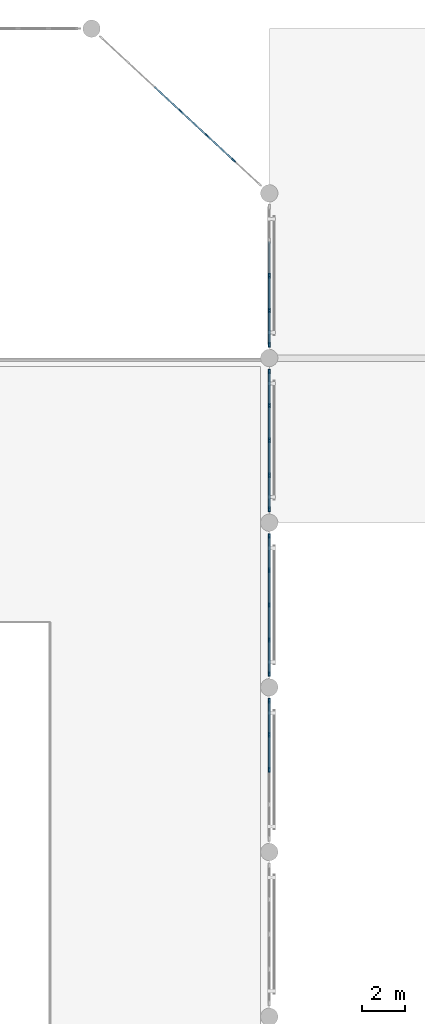
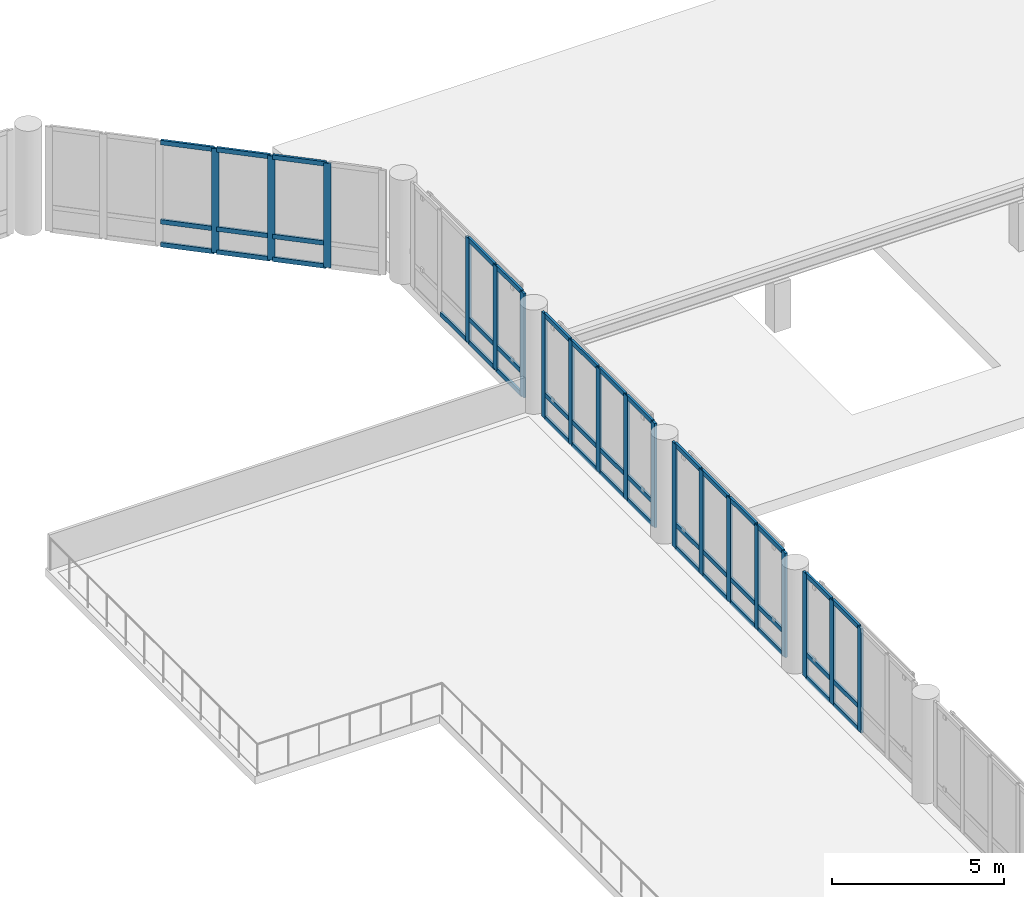
# One storey, part 17 of 49: 65 members, 5 elements without a shape of their own.
"""IFC4 building model written with IfcOpenShell, lengths in metres."""

from ifc_helpers import new_model, si_unit, direction, frame, origin, origin_2d, place, context, subcontext, project, spatial, rectangle, extrude, material, material_profile, profile_set, type_object, element, aggregate, save


model = new_model("IFC4")

# Units and contexts
model_context = context("Model", 3, precision=1e-05, world=origin(), true_north=direction((0.0, 1.0)))
body_context = subcontext(model_context, "Body", "Model", "MODEL_VIEW")
ifc_project = project(units=[si_unit("LENGTHUNIT", "METRE"), si_unit("AREAUNIT", "SQUARE_METRE"), si_unit("VOLUMEUNIT", "CUBIC_METRE"), si_unit("PLANEANGLEUNIT", "RADIAN"), si_unit("MASSUNIT", "GRAM", prefix="KILO")], contexts=[model_context])

# Site, building, storey
site_placement = place(None, origin())
site = spatial("IfcSite", under=ifc_project, at=site_placement, CompositionType="ELEMENT")
building_placement = place(site_placement, origin())
building = spatial("IfcBuilding", under=site, at=building_placement, Name="Qandaris Square Conservatory and Botanical Centre", CompositionType="ELEMENT")
storey_placement = place(building_placement, frame((0.0, 0.0, 10.199951171875)))
storey = spatial("IfcBuildingStorey", under=building, at=storey_placement, Name="L02", CompositionType="ELEMENT", Elevation=10.199951171875)

# Curtain wall, members
ifc_material = material(Name="Anodised Aluminium", Category="aluminium")
curtain_wall_type_1 = type_object("IfcCurtainWallType", Name="Unitised Curtain Wall CW-2-644x370", PredefinedType="USERDEFINED", material=ifc_material)
curtain_wall_1_placement = place(storey_placement, origin())
curtain_wall_1 = element("IfcCurtainWall", 1, at=curtain_wall_1_placement, inside=storey, type_object=curtain_wall_type_1, Name="Curtain Wall CW-CON-L02-3-4", ObjectType="GLAZED CURTAIN WALL", PredefinedType="USERDEFINED")
ifc_material_profile_1 = material_profile(ifc_material, rectangle(XDim=0.074951171875, YDim=0.219970703125, at=origin_2d()), Name="ALU-MUL 75x220")
ifc_profile_set_1 = profile_set([ifc_material_profile_1], Name="Anodised Aluminium")
member_type_1 = type_object("IfcMemberType", Name="Conservatory Heavy Mullion 75x220", PredefinedType="MULLION", material=ifc_profile_set_1)
member_1_placement = place(storey_placement, frame((57.199951171875, 81.199951171875, 0.0), z_axis=(0.0, 0.0, 1.0), x_axis=(-1.0, 0.0, 0.0)))
member_1 = element("IfcMember", 2, at=member_1_placement, type_object=member_type_1, Name="CW-2-644x370 mullion 3", PredefinedType="MULLION", context=body_context, shape_type="SweptSolid", body=[
    extrude(rectangle(XDim=0.074951171875, YDim=0.219970703125, at=origin_2d()), origin(), (0.0, 0.0, 1.0), 3.699951171875),
])
member_2_placement = place(storey_placement, frame((57.199951171875, 82.81005859375, 0.0), z_axis=(0.0, 0.0, 1.0), x_axis=(-1.0, 0.0, 0.0)))
member_2 = element("IfcMember", 3, at=member_2_placement, type_object=member_type_1, Name="CW-2-644x370 mullion 4", PredefinedType="MULLION", context=body_context, shape_type="SweptSolid", body=[
    extrude(rectangle(XDim=0.074951171875, YDim=0.219970703125, at=origin_2d()), origin(), (0.0, 0.0, 1.0), 3.699951171875),
])
member_3_placement = place(storey_placement, frame((57.199951171875, 84.382568359375, 0.0), z_axis=(0.0, 0.0, 1.0), x_axis=(-1.0, 0.0, 0.0)))
member_3 = element("IfcMember", 4, at=member_3_placement, type_object=member_type_1, Name="CW-2-644x370 mullion 5", PredefinedType="MULLION", context=body_context, shape_type="SweptSolid", body=[
    extrude(rectangle(XDim=0.074951171875, YDim=0.219970703125, at=origin_2d()), origin(), (0.0, 0.0, 1.0), 3.699951171875),
])

curtain_wall_2_placement = place(storey_placement, origin())
curtain_wall_2 = element("IfcCurtainWall", 5, at=curtain_wall_2_placement, inside=storey, type_object=curtain_wall_type_1, Name="Curtain Wall CW-CON-L02-3-5", ObjectType="GLAZED CURTAIN WALL", PredefinedType="USERDEFINED")
member_4_placement = place(storey_placement, frame((57.199951171875, 85.617431640625, 0.0), z_axis=(0.0, 0.0, 1.0), x_axis=(-1.0, 0.0, 0.0)))
member_4 = element("IfcMember", 6, at=member_4_placement, type_object=member_type_1, Name="CW-2-644x370 mullion 1", PredefinedType="MULLION", context=body_context, shape_type="SweptSolid", body=[
    extrude(rectangle(XDim=0.074951171875, YDim=0.219970703125, at=origin_2d()), origin(), (0.0, 0.0, 1.0), 3.699951171875),
])
member_5_placement = place(storey_placement, frame((57.199951171875, 87.18994140625, 0.0), z_axis=(0.0, 0.0, 1.0), x_axis=(-1.0, 0.0, 0.0)))
member_5 = element("IfcMember", 7, at=member_5_placement, type_object=member_type_1, Name="CW-2-644x370 mullion 2", PredefinedType="MULLION", context=body_context, shape_type="SweptSolid", body=[
    extrude(rectangle(XDim=0.074951171875, YDim=0.219970703125, at=origin_2d()), origin(), (0.0, 0.0, 1.0), 3.699951171875),
])
member_6_placement = place(storey_placement, frame((57.199951171875, 88.800048828125, 0.0), z_axis=(0.0, 0.0, 1.0), x_axis=(-1.0, 0.0, 0.0)))
member_6 = element("IfcMember", 8, at=member_6_placement, type_object=member_type_1, Name="CW-2-644x370 mullion 3", PredefinedType="MULLION", context=body_context, shape_type="SweptSolid", body=[
    extrude(rectangle(XDim=0.074951171875, YDim=0.219970703125, at=origin_2d()), origin(), (0.0, 0.0, 1.0), 3.699951171875),
])
member_7_placement = place(storey_placement, frame((57.199951171875, 90.409912109375, 0.0), z_axis=(0.0, 0.0, 1.0), x_axis=(-1.0, 0.0, 0.0)))
member_7 = element("IfcMember", 9, at=member_7_placement, type_object=member_type_1, Name="CW-2-644x370 mullion 4", PredefinedType="MULLION", context=body_context, shape_type="SweptSolid", body=[
    extrude(rectangle(XDim=0.074951171875, YDim=0.219970703125, at=origin_2d()), origin(), (0.0, 0.0, 1.0), 3.699951171875),
])
member_8_placement = place(storey_placement, frame((57.199951171875, 91.982421875, 0.0), z_axis=(0.0, 0.0, 1.0), x_axis=(-1.0, 0.0, 0.0)))
member_8 = element("IfcMember", 10, at=member_8_placement, type_object=member_type_1, Name="CW-2-644x370 mullion 5", PredefinedType="MULLION", context=body_context, shape_type="SweptSolid", body=[
    extrude(rectangle(XDim=0.074951171875, YDim=0.219970703125, at=origin_2d()), origin(), (0.0, 0.0, 1.0), 3.699951171875),
])

curtain_wall_3_placement = place(storey_placement, origin())
curtain_wall_3 = element("IfcCurtainWall", 11, at=curtain_wall_3_placement, inside=storey, type_object=curtain_wall_type_1, Name="Curtain Wall CW-CON-L02-3-6", ObjectType="GLAZED CURTAIN WALL", PredefinedType="USERDEFINED")
member_9_placement = place(storey_placement, frame((57.199951171875, 93.217529296875, 0.0), z_axis=(0.0, 0.0, 1.0), x_axis=(-1.0, 0.0, 0.0)))
member_9 = element("IfcMember", 12, at=member_9_placement, type_object=member_type_1, Name="CW-2-644x370 mullion 1", PredefinedType="MULLION", context=body_context, shape_type="SweptSolid", body=[
    extrude(rectangle(XDim=0.074951171875, YDim=0.219970703125, at=origin_2d()), origin(), (0.0, 0.0, 1.0), 3.699951171875),
])
member_10_placement = place(storey_placement, frame((57.199951171875, 94.7900390625, 0.0), z_axis=(0.0, 0.0, 1.0), x_axis=(-1.0, 0.0, 0.0)))
member_10 = element("IfcMember", 13, at=member_10_placement, type_object=member_type_1, Name="CW-2-644x370 mullion 2", PredefinedType="MULLION", context=body_context, shape_type="SweptSolid", body=[
    extrude(rectangle(XDim=0.074951171875, YDim=0.219970703125, at=origin_2d()), origin(), (0.0, 0.0, 1.0), 3.699951171875),
])
member_11_placement = place(storey_placement, frame((57.199951171875, 96.39990234375, 0.0), z_axis=(0.0, 0.0, 1.0), x_axis=(-1.0, 0.0, 0.0)))
member_11 = element("IfcMember", 14, at=member_11_placement, type_object=member_type_1, Name="CW-2-644x370 mullion 3", PredefinedType="MULLION", context=body_context, shape_type="SweptSolid", body=[
    extrude(rectangle(XDim=0.074951171875, YDim=0.219970703125, at=origin_2d()), origin(), (0.0, 0.0, 1.0), 3.699951171875),
])
member_12_placement = place(storey_placement, frame((57.199951171875, 98.010009765625, 0.0), z_axis=(0.0, 0.0, 1.0), x_axis=(-1.0, 0.0, 0.0)))
member_12 = element("IfcMember", 15, at=member_12_placement, type_object=member_type_1, Name="CW-2-644x370 mullion 4", PredefinedType="MULLION", context=body_context, shape_type="SweptSolid", body=[
    extrude(rectangle(XDim=0.074951171875, YDim=0.219970703125, at=origin_2d()), origin(), (0.0, 0.0, 1.0), 3.699951171875),
])
member_13_placement = place(storey_placement, frame((57.199951171875, 99.58251953125, 0.0), z_axis=(0.0, 0.0, 1.0), x_axis=(-1.0, 0.0, 0.0)))
member_13 = element("IfcMember", 16, at=member_13_placement, type_object=member_type_1, Name="CW-2-644x370 mullion 5", PredefinedType="MULLION", context=body_context, shape_type="SweptSolid", body=[
    extrude(rectangle(XDim=0.074951171875, YDim=0.219970703125, at=origin_2d()), origin(), (0.0, 0.0, 1.0), 3.699951171875),
])

curtain_wall_4_placement = place(storey_placement, origin())
curtain_wall_4 = element("IfcCurtainWall", 17, at=curtain_wall_4_placement, inside=storey, type_object=curtain_wall_type_1, Name="Curtain Wall CW-CON-L02-3-7", ObjectType="GLAZED CURTAIN WALL", PredefinedType="USERDEFINED")
member_14_placement = place(storey_placement, frame((57.199951171875, 100.8173828125, 0.0), z_axis=(0.0, 0.0, 1.0), x_axis=(-1.0, 0.0, 0.0)))
member_14 = element("IfcMember", 18, at=member_14_placement, type_object=member_type_1, Name="CW-2-644x370 mullion 1", PredefinedType="MULLION", context=body_context, shape_type="SweptSolid", body=[
    extrude(rectangle(XDim=0.074951171875, YDim=0.219970703125, at=origin_2d()), origin(), (0.0, 0.0, 1.0), 3.699951171875),
])
member_15_placement = place(storey_placement, frame((57.199951171875, 102.389892578125, 0.0), z_axis=(0.0, 0.0, 1.0), x_axis=(-1.0, 0.0, 0.0)))
member_15 = element("IfcMember", 19, at=member_15_placement, type_object=member_type_1, Name="CW-2-644x370 mullion 2", PredefinedType="MULLION", context=body_context, shape_type="SweptSolid", body=[
    extrude(rectangle(XDim=0.074951171875, YDim=0.219970703125, at=origin_2d()), origin(), (0.0, 0.0, 1.0), 3.699951171875),
])
member_16_placement = place(storey_placement, frame((57.199951171875, 104.0, 0.0), z_axis=(0.0, 0.0, 1.0), x_axis=(-1.0, 0.0, 0.0)))
member_16 = element("IfcMember", 20, at=member_16_placement, type_object=member_type_1, Name="CW-2-644x370 mullion 3", PredefinedType="MULLION", context=body_context, shape_type="SweptSolid", body=[
    extrude(rectangle(XDim=0.074951171875, YDim=0.219970703125, at=origin_2d()), origin(), (0.0, 0.0, 1.0), 3.699951171875),
])

curtain_wall_type_2 = type_object("IfcCurtainWallType", Name="Unitised Curtain Wall CW-2-1002x370", PredefinedType="USERDEFINED", material=ifc_material)
curtain_wall_5_placement = place(storey_placement, origin())
curtain_wall_5 = element("IfcCurtainWall", 21, at=curtain_wall_5_placement, inside=storey, type_object=curtain_wall_type_2, Name="Curtain Wall CW-CON-L02-4-1", ObjectType="GLAZED CURTAIN WALL", PredefinedType="USERDEFINED")
member_17_placement = place(storey_placement, frame((55.5498046875, 109.32958984375, 0.0), z_axis=(0.0, 0.0, 1.0), x_axis=(-0.679761784592, -0.733432966404, 0.0)))
member_17 = element("IfcMember", 22, at=member_17_placement, type_object=member_type_1, Name="CW-2-1002x370 mullion 2", PredefinedType="MULLION", context=body_context, shape_type="SweptSolid", body=[
    extrude(rectangle(XDim=0.074951171875, YDim=0.219970703125, at=origin_2d()), origin(), (0.0, 0.0, 1.0), 3.699951171875),
])
member_18_placement = place(storey_placement, frame((54.324951171875, 110.46484375, 0.0), z_axis=(0.0, 0.0, 1.0), x_axis=(-0.679761784592, -0.733432966404, 0.0)))
member_18 = element("IfcMember", 23, at=member_18_placement, type_object=member_type_1, Name="CW-2-1002x370 mullion 3", PredefinedType="MULLION", context=body_context, shape_type="SweptSolid", body=[
    extrude(rectangle(XDim=0.074951171875, YDim=0.219970703125, at=origin_2d()), origin(), (0.0, 0.0, 1.0), 3.699951171875),
])
member_19_placement = place(storey_placement, frame((53.10009765625, 111.60009765625, 0.0), z_axis=(0.0, 0.0, 1.0), x_axis=(-0.679761784592, -0.733432966404, 0.0)))
member_19 = element("IfcMember", 24, at=member_19_placement, type_object=member_type_1, Name="CW-2-1002x370 mullion 4", PredefinedType="MULLION", context=body_context, shape_type="SweptSolid", body=[
    extrude(rectangle(XDim=0.074951171875, YDim=0.219970703125, at=origin_2d()), origin(), (0.0, 0.0, 1.0), 3.699951171875),
])

# Member
ifc_material_profile_2 = material_profile(ifc_material, rectangle(XDim=0.074951171875, YDim=0.159912109375, at=origin_2d()), Name="ALU-TRN 75x160")
ifc_profile_set_2 = profile_set([ifc_material_profile_2], Name="Anodised Aluminium")
member_type_2 = type_object("IfcMemberType", Name="Conservatory Heavy Transom 75x160", PredefinedType="USERDEFINED", material=ifc_profile_set_2)
member_20_placement = place(storey_placement, frame((57.199951171875, 81.237548828125, 0.03759765625), z_axis=(0.0, 1.0, 0.0), x_axis=(-1.0, 0.0, 0.0)))
member_20 = element("IfcMember", 25, at=member_20_placement, type_object=member_type_2, Name="CW-2-644x370 transom 3.1", ObjectType="TRANSOM", PredefinedType="USERDEFINED", context=body_context, shape_type="SweptSolid", body=[
    extrude(rectangle(XDim=0.074951171875, YDim=0.159912109375, at=origin_2d()), origin(), (0.0, 0.0, 1.0), 1.534912109375),
])

member_21_placement = place(storey_placement, frame((57.199951171875, 81.237548828125, 0.85009765625), z_axis=(0.0, 1.0, 0.0), x_axis=(-1.0, 0.0, 0.0)))
member_21 = element("IfcMember", 26, at=member_21_placement, type_object=member_type_2, Name="CW-2-644x370 transom 3.2", ObjectType="TRANSOM", PredefinedType="USERDEFINED", context=body_context, shape_type="SweptSolid", body=[
    extrude(rectangle(XDim=0.074951171875, YDim=0.159912109375, at=origin_2d()), origin(), (0.0, 0.0, 1.0), 1.534912109375),
])

member_22_placement = place(storey_placement, frame((57.199951171875, 81.237548828125, 3.66259765625), z_axis=(0.0, 1.0, 0.0), x_axis=(-1.0, 0.0, 0.0)))
member_22 = element("IfcMember", 27, at=member_22_placement, type_object=member_type_2, Name="CW-2-644x370 transom 3.3", ObjectType="TRANSOM", PredefinedType="USERDEFINED", context=body_context, shape_type="SweptSolid", body=[
    extrude(rectangle(XDim=0.074951171875, YDim=0.159912109375, at=origin_2d()), origin(), (0.0, 0.0, 1.0), 1.534912109375),
])

member_23_placement = place(storey_placement, frame((57.199951171875, 82.847412109375, 0.03759765625), z_axis=(0.0, 1.0, 0.0), x_axis=(-1.0, 0.0, 0.0)))
member_23 = element("IfcMember", 28, at=member_23_placement, type_object=member_type_2, Name="CW-2-644x370 transom 4.1", ObjectType="TRANSOM", PredefinedType="USERDEFINED", context=body_context, shape_type="SweptSolid", body=[
    extrude(rectangle(XDim=0.074951171875, YDim=0.159912109375, at=origin_2d()), origin(), (0.0, 0.0, 1.0), 1.49755859375),
])

member_24_placement = place(storey_placement, frame((57.199951171875, 82.847412109375, 0.85009765625), z_axis=(0.0, 1.0, 0.0), x_axis=(-1.0, 0.0, 0.0)))
member_24 = element("IfcMember", 29, at=member_24_placement, type_object=member_type_2, Name="CW-2-644x370 transom 4.2", ObjectType="TRANSOM", PredefinedType="USERDEFINED", context=body_context, shape_type="SweptSolid", body=[
    extrude(rectangle(XDim=0.074951171875, YDim=0.159912109375, at=origin_2d()), origin(), (0.0, 0.0, 1.0), 1.49755859375),
])

member_25_placement = place(storey_placement, frame((57.199951171875, 82.847412109375, 3.66259765625), z_axis=(0.0, 1.0, 0.0), x_axis=(-1.0, 0.0, 0.0)))
member_25 = element("IfcMember", 30, at=member_25_placement, type_object=member_type_2, Name="CW-2-644x370 transom 4.3", ObjectType="TRANSOM", PredefinedType="USERDEFINED", context=body_context, shape_type="SweptSolid", body=[
    extrude(rectangle(XDim=0.074951171875, YDim=0.159912109375, at=origin_2d()), origin(), (0.0, 0.0, 1.0), 1.49755859375),
])

aggregate(curtain_wall_1, [member_1, member_2, member_3, member_20, member_21, member_22, member_23, member_24, member_25])

member_26_placement = place(storey_placement, frame((57.199951171875, 85.655029296875, 0.03759765625), z_axis=(0.0, 1.0, 0.0), x_axis=(-1.0, 0.0, 0.0)))
member_26 = element("IfcMember", 31, at=member_26_placement, type_object=member_type_2, Name="CW-2-644x370 transom 1.1", ObjectType="TRANSOM", PredefinedType="USERDEFINED", context=body_context, shape_type="SweptSolid", body=[
    extrude(rectangle(XDim=0.074951171875, YDim=0.159912109375, at=origin_2d()), origin(), (0.0, 0.0, 1.0), 1.49755859375),
])

member_27_placement = place(storey_placement, frame((57.199951171875, 85.655029296875, 0.85009765625), z_axis=(0.0, 1.0, 0.0), x_axis=(-1.0, 0.0, 0.0)))
member_27 = element("IfcMember", 32, at=member_27_placement, type_object=member_type_2, Name="CW-2-644x370 transom 1.2", ObjectType="TRANSOM", PredefinedType="USERDEFINED", context=body_context, shape_type="SweptSolid", body=[
    extrude(rectangle(XDim=0.074951171875, YDim=0.159912109375, at=origin_2d()), origin(), (0.0, 0.0, 1.0), 1.49755859375),
])

member_28_placement = place(storey_placement, frame((57.199951171875, 85.655029296875, 3.66259765625), z_axis=(0.0, 1.0, 0.0), x_axis=(-1.0, 0.0, 0.0)))
member_28 = element("IfcMember", 33, at=member_28_placement, type_object=member_type_2, Name="CW-2-644x370 transom 1.3", ObjectType="TRANSOM", PredefinedType="USERDEFINED", context=body_context, shape_type="SweptSolid", body=[
    extrude(rectangle(XDim=0.074951171875, YDim=0.159912109375, at=origin_2d()), origin(), (0.0, 0.0, 1.0), 1.49755859375),
])

member_29_placement = place(storey_placement, frame((57.199951171875, 87.2275390625, 0.03759765625), z_axis=(0.0, 1.0, 0.0), x_axis=(-1.0, 0.0, 0.0)))
member_29 = element("IfcMember", 34, at=member_29_placement, type_object=member_type_2, Name="CW-2-644x370 transom 2.1", ObjectType="TRANSOM", PredefinedType="USERDEFINED", context=body_context, shape_type="SweptSolid", body=[
    extrude(rectangle(XDim=0.074951171875, YDim=0.159912109375, at=origin_2d()), origin(), (0.0, 0.0, 1.0), 1.534912109375),
])

member_30_placement = place(storey_placement, frame((57.199951171875, 87.2275390625, 0.85009765625), z_axis=(0.0, 1.0, 0.0), x_axis=(-1.0, 0.0, 0.0)))
member_30 = element("IfcMember", 35, at=member_30_placement, type_object=member_type_2, Name="CW-2-644x370 transom 2.2", ObjectType="TRANSOM", PredefinedType="USERDEFINED", context=body_context, shape_type="SweptSolid", body=[
    extrude(rectangle(XDim=0.074951171875, YDim=0.159912109375, at=origin_2d()), origin(), (0.0, 0.0, 1.0), 1.534912109375),
])

member_31_placement = place(storey_placement, frame((57.199951171875, 87.2275390625, 3.66259765625), z_axis=(0.0, 1.0, 0.0), x_axis=(-1.0, 0.0, 0.0)))
member_31 = element("IfcMember", 36, at=member_31_placement, type_object=member_type_2, Name="CW-2-644x370 transom 2.3", ObjectType="TRANSOM", PredefinedType="USERDEFINED", context=body_context, shape_type="SweptSolid", body=[
    extrude(rectangle(XDim=0.074951171875, YDim=0.159912109375, at=origin_2d()), origin(), (0.0, 0.0, 1.0), 1.534912109375),
])

member_32_placement = place(storey_placement, frame((57.199951171875, 88.83740234375, 0.03759765625), z_axis=(0.0, 1.0, 0.0), x_axis=(-1.0, 0.0, 0.0)))
member_32 = element("IfcMember", 37, at=member_32_placement, type_object=member_type_2, Name="CW-2-644x370 transom 3.1", ObjectType="TRANSOM", PredefinedType="USERDEFINED", context=body_context, shape_type="SweptSolid", body=[
    extrude(rectangle(XDim=0.074951171875, YDim=0.159912109375, at=origin_2d()), origin(), (0.0, 0.0, 1.0), 1.53515625),
])

member_33_placement = place(storey_placement, frame((57.199951171875, 88.83740234375, 0.85009765625), z_axis=(0.0, 1.0, 0.0), x_axis=(-1.0, 0.0, 0.0)))
member_33 = element("IfcMember", 38, at=member_33_placement, type_object=member_type_2, Name="CW-2-644x370 transom 3.2", ObjectType="TRANSOM", PredefinedType="USERDEFINED", context=body_context, shape_type="SweptSolid", body=[
    extrude(rectangle(XDim=0.074951171875, YDim=0.159912109375, at=origin_2d()), origin(), (0.0, 0.0, 1.0), 1.53515625),
])

member_34_placement = place(storey_placement, frame((57.199951171875, 88.83740234375, 3.66259765625), z_axis=(0.0, 1.0, 0.0), x_axis=(-1.0, 0.0, 0.0)))
member_34 = element("IfcMember", 39, at=member_34_placement, type_object=member_type_2, Name="CW-2-644x370 transom 3.3", ObjectType="TRANSOM", PredefinedType="USERDEFINED", context=body_context, shape_type="SweptSolid", body=[
    extrude(rectangle(XDim=0.074951171875, YDim=0.159912109375, at=origin_2d()), origin(), (0.0, 0.0, 1.0), 1.53515625),
])

member_35_placement = place(storey_placement, frame((57.199951171875, 90.447509765625, 0.03759765625), z_axis=(0.0, 1.0, 0.0), x_axis=(-1.0, 0.0, 0.0)))
member_35 = element("IfcMember", 40, at=member_35_placement, type_object=member_type_2, Name="CW-2-644x370 transom 4.1", ObjectType="TRANSOM", PredefinedType="USERDEFINED", context=body_context, shape_type="SweptSolid", body=[
    extrude(rectangle(XDim=0.074951171875, YDim=0.159912109375, at=origin_2d()), origin(), (0.0, 0.0, 1.0), 1.49755859375),
])

member_36_placement = place(storey_placement, frame((57.199951171875, 90.447509765625, 0.85009765625), z_axis=(0.0, 1.0, 0.0), x_axis=(-1.0, 0.0, 0.0)))
member_36 = element("IfcMember", 41, at=member_36_placement, type_object=member_type_2, Name="CW-2-644x370 transom 4.2", ObjectType="TRANSOM", PredefinedType="USERDEFINED", context=body_context, shape_type="SweptSolid", body=[
    extrude(rectangle(XDim=0.074951171875, YDim=0.159912109375, at=origin_2d()), origin(), (0.0, 0.0, 1.0), 1.49755859375),
])

member_37_placement = place(storey_placement, frame((57.199951171875, 90.447509765625, 3.66259765625), z_axis=(0.0, 1.0, 0.0), x_axis=(-1.0, 0.0, 0.0)))
member_37 = element("IfcMember", 42, at=member_37_placement, type_object=member_type_2, Name="CW-2-644x370 transom 4.3", ObjectType="TRANSOM", PredefinedType="USERDEFINED", context=body_context, shape_type="SweptSolid", body=[
    extrude(rectangle(XDim=0.074951171875, YDim=0.159912109375, at=origin_2d()), origin(), (0.0, 0.0, 1.0), 1.49755859375),
])

aggregate(curtain_wall_2, [member_4, member_5, member_6, member_7, member_8, member_26, member_27, member_28, member_29, member_30, member_31, member_32, member_33, member_34, member_35, member_36, member_37])

member_38_placement = place(storey_placement, frame((57.199951171875, 93.2548828125, 0.03759765625), z_axis=(0.0, 1.0, 0.0), x_axis=(-1.0, 0.0, 0.0)))
member_38 = element("IfcMember", 43, at=member_38_placement, type_object=member_type_2, Name="CW-2-644x370 transom 1.1", ObjectType="TRANSOM", PredefinedType="USERDEFINED", context=body_context, shape_type="SweptSolid", body=[
    extrude(rectangle(XDim=0.074951171875, YDim=0.159912109375, at=origin_2d()), origin(), (0.0, 0.0, 1.0), 1.49755859375),
])

member_39_placement = place(storey_placement, frame((57.199951171875, 93.2548828125, 0.85009765625), z_axis=(0.0, 1.0, 0.0), x_axis=(-1.0, 0.0, 0.0)))
member_39 = element("IfcMember", 44, at=member_39_placement, type_object=member_type_2, Name="CW-2-644x370 transom 1.2", ObjectType="TRANSOM", PredefinedType="USERDEFINED", context=body_context, shape_type="SweptSolid", body=[
    extrude(rectangle(XDim=0.074951171875, YDim=0.159912109375, at=origin_2d()), origin(), (0.0, 0.0, 1.0), 1.49755859375),
])

member_40_placement = place(storey_placement, frame((57.199951171875, 93.2548828125, 3.66259765625), z_axis=(0.0, 1.0, 0.0), x_axis=(-1.0, 0.0, 0.0)))
member_40 = element("IfcMember", 45, at=member_40_placement, type_object=member_type_2, Name="CW-2-644x370 transom 1.3", ObjectType="TRANSOM", PredefinedType="USERDEFINED", context=body_context, shape_type="SweptSolid", body=[
    extrude(rectangle(XDim=0.074951171875, YDim=0.159912109375, at=origin_2d()), origin(), (0.0, 0.0, 1.0), 1.49755859375),
])

member_41_placement = place(storey_placement, frame((57.199951171875, 94.827392578125, 0.03759765625), z_axis=(0.0, 1.0, 0.0), x_axis=(-1.0, 0.0, 0.0)))
member_41 = element("IfcMember", 46, at=member_41_placement, type_object=member_type_2, Name="CW-2-644x370 transom 2.1", ObjectType="TRANSOM", PredefinedType="USERDEFINED", context=body_context, shape_type="SweptSolid", body=[
    extrude(rectangle(XDim=0.074951171875, YDim=0.159912109375, at=origin_2d()), origin(), (0.0, 0.0, 1.0), 1.53515625),
])

member_42_placement = place(storey_placement, frame((57.199951171875, 94.827392578125, 0.85009765625), z_axis=(0.0, 1.0, 0.0), x_axis=(-1.0, 0.0, 0.0)))
member_42 = element("IfcMember", 47, at=member_42_placement, type_object=member_type_2, Name="CW-2-644x370 transom 2.2", ObjectType="TRANSOM", PredefinedType="USERDEFINED", context=body_context, shape_type="SweptSolid", body=[
    extrude(rectangle(XDim=0.074951171875, YDim=0.159912109375, at=origin_2d()), origin(), (0.0, 0.0, 1.0), 1.53515625),
])

member_43_placement = place(storey_placement, frame((57.199951171875, 94.827392578125, 3.66259765625), z_axis=(0.0, 1.0, 0.0), x_axis=(-1.0, 0.0, 0.0)))
member_43 = element("IfcMember", 48, at=member_43_placement, type_object=member_type_2, Name="CW-2-644x370 transom 2.3", ObjectType="TRANSOM", PredefinedType="USERDEFINED", context=body_context, shape_type="SweptSolid", body=[
    extrude(rectangle(XDim=0.074951171875, YDim=0.159912109375, at=origin_2d()), origin(), (0.0, 0.0, 1.0), 1.53515625),
])

member_44_placement = place(storey_placement, frame((57.199951171875, 96.4375, 0.03759765625), z_axis=(0.0, 1.0, 0.0), x_axis=(-1.0, 0.0, 0.0)))
member_44 = element("IfcMember", 49, at=member_44_placement, type_object=member_type_2, Name="CW-2-644x370 transom 3.1", ObjectType="TRANSOM", PredefinedType="USERDEFINED", context=body_context, shape_type="SweptSolid", body=[
    extrude(rectangle(XDim=0.074951171875, YDim=0.159912109375, at=origin_2d()), origin(), (0.0, 0.0, 1.0), 1.534912109375),
])

member_45_placement = place(storey_placement, frame((57.199951171875, 96.4375, 0.85009765625), z_axis=(0.0, 1.0, 0.0), x_axis=(-1.0, 0.0, 0.0)))
member_45 = element("IfcMember", 50, at=member_45_placement, type_object=member_type_2, Name="CW-2-644x370 transom 3.2", ObjectType="TRANSOM", PredefinedType="USERDEFINED", context=body_context, shape_type="SweptSolid", body=[
    extrude(rectangle(XDim=0.074951171875, YDim=0.159912109375, at=origin_2d()), origin(), (0.0, 0.0, 1.0), 1.534912109375),
])

member_46_placement = place(storey_placement, frame((57.199951171875, 96.4375, 3.66259765625), z_axis=(0.0, 1.0, 0.0), x_axis=(-1.0, 0.0, 0.0)))
member_46 = element("IfcMember", 51, at=member_46_placement, type_object=member_type_2, Name="CW-2-644x370 transom 3.3", ObjectType="TRANSOM", PredefinedType="USERDEFINED", context=body_context, shape_type="SweptSolid", body=[
    extrude(rectangle(XDim=0.074951171875, YDim=0.159912109375, at=origin_2d()), origin(), (0.0, 0.0, 1.0), 1.534912109375),
])

member_47_placement = place(storey_placement, frame((57.199951171875, 98.047607421875, 0.03759765625), z_axis=(0.0, 1.0, 0.0), x_axis=(-1.0, 0.0, 0.0)))
member_47 = element("IfcMember", 52, at=member_47_placement, type_object=member_type_2, Name="CW-2-644x370 transom 4.1", ObjectType="TRANSOM", PredefinedType="USERDEFINED", context=body_context, shape_type="SweptSolid", body=[
    extrude(rectangle(XDim=0.074951171875, YDim=0.159912109375, at=origin_2d()), origin(), (0.0, 0.0, 1.0), 1.497314453125),
])

member_48_placement = place(storey_placement, frame((57.199951171875, 98.047607421875, 0.85009765625), z_axis=(0.0, 1.0, 0.0), x_axis=(-1.0, 0.0, 0.0)))
member_48 = element("IfcMember", 53, at=member_48_placement, type_object=member_type_2, Name="CW-2-644x370 transom 4.2", ObjectType="TRANSOM", PredefinedType="USERDEFINED", context=body_context, shape_type="SweptSolid", body=[
    extrude(rectangle(XDim=0.074951171875, YDim=0.159912109375, at=origin_2d()), origin(), (0.0, 0.0, 1.0), 1.497314453125),
])

member_49_placement = place(storey_placement, frame((57.199951171875, 98.047607421875, 3.66259765625), z_axis=(0.0, 1.0, 0.0), x_axis=(-1.0, 0.0, 0.0)))
member_49 = element("IfcMember", 54, at=member_49_placement, type_object=member_type_2, Name="CW-2-644x370 transom 4.3", ObjectType="TRANSOM", PredefinedType="USERDEFINED", context=body_context, shape_type="SweptSolid", body=[
    extrude(rectangle(XDim=0.074951171875, YDim=0.159912109375, at=origin_2d()), origin(), (0.0, 0.0, 1.0), 1.497314453125),
])

aggregate(curtain_wall_3, [member_9, member_10, member_11, member_12, member_13, member_38, member_39, member_40, member_41, member_42, member_43, member_44, member_45, member_46, member_47, member_48, member_49])

member_50_placement = place(storey_placement, frame((57.199951171875, 100.85498046875, 0.03759765625), z_axis=(0.0, 1.0, 0.0), x_axis=(-1.0, 0.0, 0.0)))
member_50 = element("IfcMember", 55, at=member_50_placement, type_object=member_type_2, Name="CW-2-644x370 transom 1.1", ObjectType="TRANSOM", PredefinedType="USERDEFINED", context=body_context, shape_type="SweptSolid", body=[
    extrude(rectangle(XDim=0.074951171875, YDim=0.159912109375, at=origin_2d()), origin(), (0.0, 0.0, 1.0), 1.49755859375),
])

member_51_placement = place(storey_placement, frame((57.199951171875, 100.85498046875, 0.85009765625), z_axis=(0.0, 1.0, 0.0), x_axis=(-1.0, 0.0, 0.0)))
member_51 = element("IfcMember", 56, at=member_51_placement, type_object=member_type_2, Name="CW-2-644x370 transom 1.2", ObjectType="TRANSOM", PredefinedType="USERDEFINED", context=body_context, shape_type="SweptSolid", body=[
    extrude(rectangle(XDim=0.074951171875, YDim=0.159912109375, at=origin_2d()), origin(), (0.0, 0.0, 1.0), 1.49755859375),
])

member_52_placement = place(storey_placement, frame((57.199951171875, 100.85498046875, 3.66259765625), z_axis=(0.0, 1.0, 0.0), x_axis=(-1.0, 0.0, 0.0)))
member_52 = element("IfcMember", 57, at=member_52_placement, type_object=member_type_2, Name="CW-2-644x370 transom 1.3", ObjectType="TRANSOM", PredefinedType="USERDEFINED", context=body_context, shape_type="SweptSolid", body=[
    extrude(rectangle(XDim=0.074951171875, YDim=0.159912109375, at=origin_2d()), origin(), (0.0, 0.0, 1.0), 1.49755859375),
])

member_53_placement = place(storey_placement, frame((57.199951171875, 102.427490234375, 0.03759765625), z_axis=(0.0, 1.0, 0.0), x_axis=(-1.0, 0.0, 0.0)))
member_53 = element("IfcMember", 58, at=member_53_placement, type_object=member_type_2, Name="CW-2-644x370 transom 2.1", ObjectType="TRANSOM", PredefinedType="USERDEFINED", context=body_context, shape_type="SweptSolid", body=[
    extrude(rectangle(XDim=0.074951171875, YDim=0.159912109375, at=origin_2d()), origin(), (0.0, 0.0, 1.0), 1.534912109375),
])

member_54_placement = place(storey_placement, frame((57.199951171875, 102.427490234375, 0.85009765625), z_axis=(0.0, 1.0, 0.0), x_axis=(-1.0, 0.0, 0.0)))
member_54 = element("IfcMember", 59, at=member_54_placement, type_object=member_type_2, Name="CW-2-644x370 transom 2.2", ObjectType="TRANSOM", PredefinedType="USERDEFINED", context=body_context, shape_type="SweptSolid", body=[
    extrude(rectangle(XDim=0.074951171875, YDim=0.159912109375, at=origin_2d()), origin(), (0.0, 0.0, 1.0), 1.534912109375),
])

member_55_placement = place(storey_placement, frame((57.199951171875, 102.427490234375, 3.66259765625), z_axis=(0.0, 1.0, 0.0), x_axis=(-1.0, 0.0, 0.0)))
member_55 = element("IfcMember", 60, at=member_55_placement, type_object=member_type_2, Name="CW-2-644x370 transom 2.3", ObjectType="TRANSOM", PredefinedType="USERDEFINED", context=body_context, shape_type="SweptSolid", body=[
    extrude(rectangle(XDim=0.074951171875, YDim=0.159912109375, at=origin_2d()), origin(), (0.0, 0.0, 1.0), 1.534912109375),
])

member_56_placement = place(storey_placement, frame((57.199951171875, 104.03759765625, 0.03759765625), z_axis=(0.0, 1.0, 0.0), x_axis=(-1.0, 0.0, 0.0)))
member_56 = element("IfcMember", 61, at=member_56_placement, type_object=member_type_2, Name="CW-2-644x370 transom 3.1", ObjectType="TRANSOM", PredefinedType="USERDEFINED", context=body_context, shape_type="SweptSolid", body=[
    extrude(rectangle(XDim=0.074951171875, YDim=0.159912109375, at=origin_2d()), origin(), (0.0, 0.0, 1.0), 1.534912109375),
])

aggregate(curtain_wall_4, [member_14, member_15, member_16, member_50, member_51, member_52, member_53, member_54, member_55, member_56])

member_57_placement = place(storey_placement, frame((55.522216796875, 109.35498046875, 0.03759765625), z_axis=(-0.733458213943, 0.679734542597, 0.0), x_axis=(-0.679734542597, -0.733458213943, 0.0)))
member_57 = element("IfcMember", 62, at=member_57_placement, type_object=member_type_2, Name="CW-2-1002x370 transom 2.1", ObjectType="TRANSOM", PredefinedType="USERDEFINED", context=body_context, shape_type="SweptSolid", body=[
    extrude(rectangle(XDim=0.074951171875, YDim=0.159912109375, at=origin_2d()), origin(), (0.0, 0.0, 1.0), 1.594970703125),
])

member_58_placement = place(storey_placement, frame((55.522216796875, 109.35498046875, 0.85009765625), z_axis=(-0.733458213943, 0.679734542597, 0.0), x_axis=(-0.679734542597, -0.733458213943, 0.0)))
member_58 = element("IfcMember", 63, at=member_58_placement, type_object=member_type_2, Name="CW-2-1002x370 transom 2.2", ObjectType="TRANSOM", PredefinedType="USERDEFINED", context=body_context, shape_type="SweptSolid", body=[
    extrude(rectangle(XDim=0.074951171875, YDim=0.159912109375, at=origin_2d()), origin(), (0.0, 0.0, 1.0), 1.594970703125),
])

member_59_placement = place(storey_placement, frame((55.522216796875, 109.35498046875, 3.66259765625), z_axis=(-0.733458213943, 0.679734542597, 0.0), x_axis=(-0.679734542597, -0.733458213943, 0.0)))
member_59 = element("IfcMember", 64, at=member_59_placement, type_object=member_type_2, Name="CW-2-1002x370 transom 2.3", ObjectType="TRANSOM", PredefinedType="USERDEFINED", context=body_context, shape_type="SweptSolid", body=[
    extrude(rectangle(XDim=0.074951171875, YDim=0.159912109375, at=origin_2d()), origin(), (0.0, 0.0, 1.0), 1.594970703125),
])

member_60_placement = place(storey_placement, frame((54.29736328125, 110.490234375, 0.03759765625), z_axis=(-0.733458213943, 0.679734542597, 0.0), x_axis=(-0.679734542597, -0.733458213943, 0.0)))
member_60 = element("IfcMember", 65, at=member_60_placement, type_object=member_type_2, Name="CW-2-1002x370 transom 3.1", ObjectType="TRANSOM", PredefinedType="USERDEFINED", context=body_context, shape_type="SweptSolid", body=[
    extrude(rectangle(XDim=0.074951171875, YDim=0.159912109375, at=origin_2d()), origin(), (0.0, 0.0, 1.0), 1.594970703125),
])

member_61_placement = place(storey_placement, frame((54.29736328125, 110.490234375, 0.85009765625), z_axis=(-0.733458213943, 0.679734542597, 0.0), x_axis=(-0.679734542597, -0.733458213943, 0.0)))
member_61 = element("IfcMember", 66, at=member_61_placement, type_object=member_type_2, Name="CW-2-1002x370 transom 3.2", ObjectType="TRANSOM", PredefinedType="USERDEFINED", context=body_context, shape_type="SweptSolid", body=[
    extrude(rectangle(XDim=0.074951171875, YDim=0.159912109375, at=origin_2d()), origin(), (0.0, 0.0, 1.0), 1.594970703125),
])

member_62_placement = place(storey_placement, frame((54.29736328125, 110.490234375, 3.66259765625), z_axis=(-0.733458213943, 0.679734542597, 0.0), x_axis=(-0.679734542597, -0.733458213943, 0.0)))
member_62 = element("IfcMember", 67, at=member_62_placement, type_object=member_type_2, Name="CW-2-1002x370 transom 3.3", ObjectType="TRANSOM", PredefinedType="USERDEFINED", context=body_context, shape_type="SweptSolid", body=[
    extrude(rectangle(XDim=0.074951171875, YDim=0.159912109375, at=origin_2d()), origin(), (0.0, 0.0, 1.0), 1.594970703125),
])

member_63_placement = place(storey_placement, frame((53.072509765625, 111.62548828125, 0.03759765625), z_axis=(-0.733458213943, 0.679734542597, 0.0), x_axis=(-0.679734542597, -0.733458213943, 0.0)))
member_63 = element("IfcMember", 68, at=member_63_placement, type_object=member_type_2, Name="CW-2-1002x370 transom 4.1", ObjectType="TRANSOM", PredefinedType="USERDEFINED", context=body_context, shape_type="SweptSolid", body=[
    extrude(rectangle(XDim=0.074951171875, YDim=0.159912109375, at=origin_2d()), origin(), (0.0, 0.0, 1.0), 1.594970703125),
])

member_64_placement = place(storey_placement, frame((53.072509765625, 111.62548828125, 0.85009765625), z_axis=(-0.733458213943, 0.679734542597, 0.0), x_axis=(-0.679734542597, -0.733458213943, 0.0)))
member_64 = element("IfcMember", 69, at=member_64_placement, type_object=member_type_2, Name="CW-2-1002x370 transom 4.2", ObjectType="TRANSOM", PredefinedType="USERDEFINED", context=body_context, shape_type="SweptSolid", body=[
    extrude(rectangle(XDim=0.074951171875, YDim=0.159912109375, at=origin_2d()), origin(), (0.0, 0.0, 1.0), 1.594970703125),
])

member_65_placement = place(storey_placement, frame((53.072509765625, 111.62548828125, 3.66259765625), z_axis=(-0.733458213943, 0.679734542597, 0.0), x_axis=(-0.679734542597, -0.733458213943, 0.0)))
member_65 = element("IfcMember", 70, at=member_65_placement, type_object=member_type_2, Name="CW-2-1002x370 transom 4.3", ObjectType="TRANSOM", PredefinedType="USERDEFINED", context=body_context, shape_type="SweptSolid", body=[
    extrude(rectangle(XDim=0.074951171875, YDim=0.159912109375, at=origin_2d()), origin(), (0.0, 0.0, 1.0), 1.594970703125),
])

aggregate(curtain_wall_5, [member_17, member_18, member_19, member_57, member_58, member_59, member_60, member_61, member_62, member_63, member_64, member_65])

save(model, "model.ifc")
